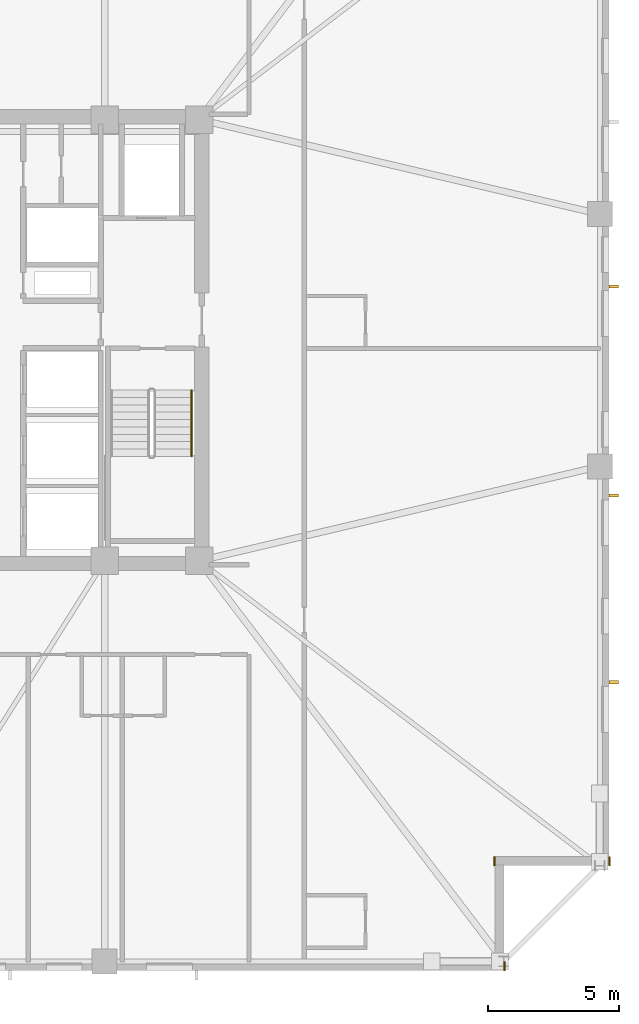
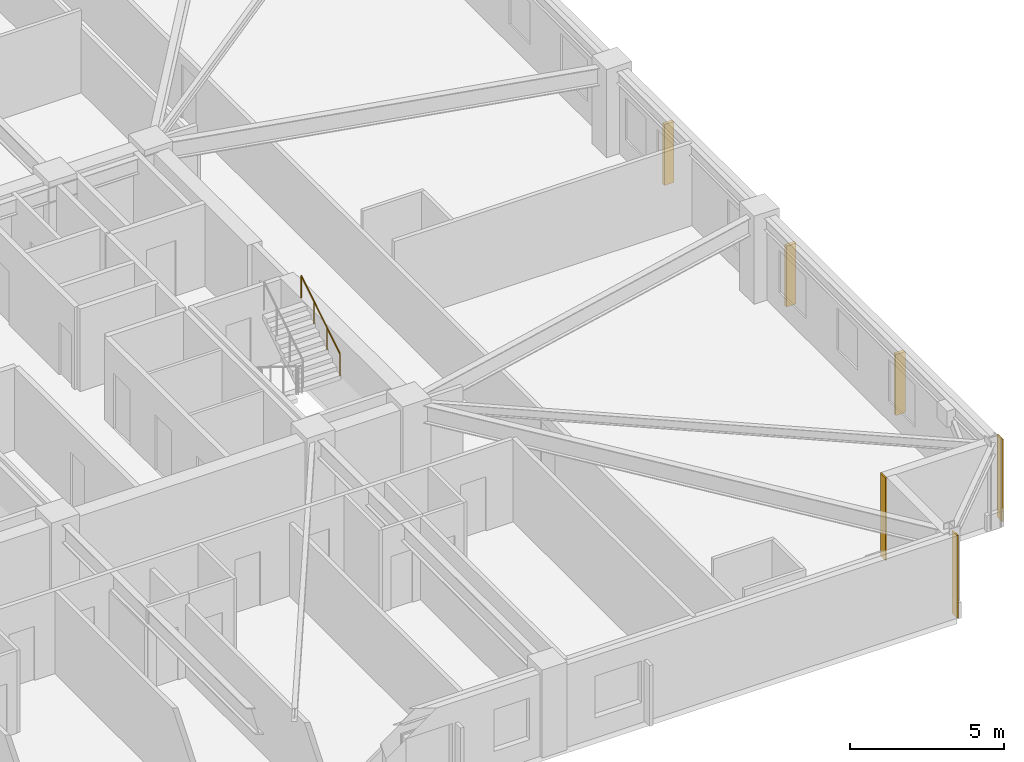
# One storey, part 9 of 11: 3 coverings, 3 shading devices, 1 railing.
"""IFC4 building model written with IfcOpenShell, lengths in metres."""

import ifcopenshell
import ifcopenshell.guid

model = None  # the IFC model being written
_history = None  # IfcOwnerHistory: only IFC2X3 demands one
_inside = {}  # id of a spatial element -> (the spatial element, [elements in it])
_under = {}  # id of a project, library or spatial element -> (it, [spatial elements below it])
_declared = {}  # id of a project -> (the project, [libraries it declares])
_typed = {}  # id of a type object -> (the type object, [elements of that type])
_made_of = {}  # id of a material, layer set ... -> (it, [elements and type objects made of it])


def new_model(schema):
    """Start an empty IFC model of exactly this schema.

    Asked for "IFC4X3", IfcOpenShell would pick the latest addendum, in which some entities
    have other attributes; the version numbers below select the first issue.
    IFC2X3 requires an IfcOwnerHistory on every rooted entity: one is made here for all.
    """
    global model, _history
    if schema == "IFC4X3":
        model = ifcopenshell.file(schema_version=(4, 3, 0, 0))
    else:
        model = ifcopenshell.file(schema=schema)
    _inside.clear()
    _under.clear()
    _declared.clear()
    _typed.clear()
    _made_of.clear()
    _history = None
    if model.schema == "IFC2X3":
        org = make("IfcOrganization", Name="unknown")
        user = make(
            "IfcPersonAndOrganization",
            ThePerson=make("IfcPerson", FamilyName="unknown"),
            TheOrganization=org,
        )
        app = make(
            "IfcApplication",
            ApplicationDeveloper=org,
            Version="unknown",
            ApplicationFullName="unknown",
            ApplicationIdentifier="unknown",
        )
        _history = make(
            "IfcOwnerHistory",
            OwningUser=user,
            OwningApplication=app,
            ChangeAction="ADDED",
            CreationDate=0,
        )
    return model


def make(cls, **values):
    """One entity of the class cls with the attributes given. An attribute that is None is left unset."""
    return model.create_entity(
        cls, **{name: value for name, value in values.items() if value is not None}
    )


def rooted(cls, **values):
    """An entity with a GlobalId (a new one), such as an element, a storey or a relation."""
    return make(cls, GlobalId=ifcopenshell.guid.new(), OwnerHistory=_history, **values)


def si_unit(unit_type, name, prefix=None):
    """IfcSIUnit, for example si_unit("LENGTHUNIT", "METRE", prefix="MILLI")."""
    return make("IfcSIUnit", UnitType=unit_type, Prefix=prefix, Name=name)


def assignment(units):
    """IfcUnitAssignment: the units of a project."""
    return None if units is None else make("IfcUnitAssignment", Units=units)


def point(xyz):
    """IfcCartesianPoint."""
    return None if xyz is None else make("IfcCartesianPoint", Coordinates=xyz)


def direction(xyz):
    """IfcDirection."""
    return None if xyz is None else make("IfcDirection", DirectionRatios=xyz)


def frame(location, z_axis=None, x_axis=None):
    """IfcAxis2Placement3D, a coordinate frame: its origin and axes. An axis left out is left unset."""
    return make(
        "IfcAxis2Placement3D",
        Location=point(location),
        Axis=direction(z_axis),
        RefDirection=direction(x_axis),
    )


def frame_2d(location, x_axis=None):
    """IfcAxis2Placement2D, a coordinate frame in the plane: its origin and x axis."""
    return make(
        "IfcAxis2Placement2D", Location=point(location), RefDirection=direction(x_axis)
    )


def origin():
    """The frame at (0, 0, 0) with its axes left unset."""
    return frame((0.0, 0.0, 0.0))


def origin_2d():
    """The frame at (0, 0) in the plane with its x axis left unset."""
    return frame_2d((0.0, 0.0))


def place(relative_to, where):
    """IfcLocalPlacement: puts the frame where relative to a parent placement (None: the world)."""
    return make(
        "IfcLocalPlacement", PlacementRelTo=relative_to, RelativePlacement=where
    )


def context(
    kind, dimensions, precision=None, world=None, true_north=None, identifier=None
):
    """IfcGeometricRepresentationContext, for example the 3D "Model" context."""
    return make(
        "IfcGeometricRepresentationContext",
        ContextIdentifier=identifier,
        ContextType=kind,
        CoordinateSpaceDimension=dimensions,
        Precision=precision,
        WorldCoordinateSystem=world,
        TrueNorth=true_north,
    )


def subcontext(parent, identifier, kind, view, scale=None):
    """IfcGeometricRepresentationSubContext, for example "Body" below "Model"."""
    return make(
        "IfcGeometricRepresentationSubContext",
        ContextIdentifier=identifier,
        ContextType=kind,
        ParentContext=parent,
        TargetScale=scale,
        TargetView=view,
    )


def project(units=None, contexts=None):
    """IfcProject with its units and contexts."""
    return rooted(
        "IfcProject",
        Name="project",
        RepresentationContexts=contexts,
        UnitsInContext=assignment(units),
    )


def spatial(cls, under=None, at=None, **own):
    """A site, building, storey or space (cls), placed at a placement, below another one or the project."""
    s = rooted(cls, ObjectPlacement=at, **own)
    if under is not None:
        _under.setdefault(under.id(), (under, []))[1].append(s)
    return s


def profile(cls, at=None, kind="AREA", **sizes):
    """A parametric profile (cls). Its sizes go by their IFC names, for example OverallWidth=200.0."""
    return make(cls, ProfileType=kind, Position=at, **sizes)


def rectangle(**sizes):
    """IfcRectangleProfileDef."""
    return profile("IfcRectangleProfileDef", **sizes)


def circle(**sizes):
    """IfcCircleProfileDef."""
    return profile("IfcCircleProfileDef", **sizes)


def extrude(swept, where, along, depth):
    """IfcExtrudedAreaSolid: the profile swept, set in the frame where, extruded along a direction by depth."""
    return make(
        "IfcExtrudedAreaSolid",
        SweptArea=swept,
        Position=where,
        ExtrudedDirection=direction(along),
        Depth=depth,
    )


def shape(context_of_items, identifier, shape_type, items):
    """IfcShapeRepresentation: the items that make up one representation, for example the "Body"."""
    return make(
        "IfcShapeRepresentation",
        ContextOfItems=context_of_items,
        RepresentationIdentifier=identifier,
        RepresentationType=shape_type,
        Items=items,
    )


def material(Name=None, Category=None):
    """IfcMaterial."""
    return make("IfcMaterial", Name=Name, Category=Category)


def layer(
    of_material, thickness, ventilated=None, Name=None, Category=None, Priority=None
):
    """IfcMaterialLayer: one layer of a wall or slab, of a material (None: an air gap)."""
    return make(
        "IfcMaterialLayer",
        Material=of_material,
        LayerThickness=thickness,
        IsVentilated=ventilated,
        Name=Name,
        Category=Category,
        Priority=Priority,
    )


def layer_set(layers, Name=None):
    """IfcMaterialLayerSet."""
    return make("IfcMaterialLayerSet", MaterialLayers=layers, LayerSetName=Name)


def made_of(thing, what):
    """Note that an element or type object is made of a material, layer set ...; save() writes the relation."""
    if what is not None:
        _made_of.setdefault(what.id(), (what, []))[1].append(thing)
    return thing


def type_object(cls, material=None, **own):
    """A type object (cls), such as IfcWallType, which elements share."""
    return made_of(rooted(cls, **own), material)


def element(
    cls,
    number,
    at=None,
    inside=None,
    cuts=None,
    type_object=None,
    material=None,
    context=None,
    identifier="Body",
    shape_type=None,
    held_by="IfcProductDefinitionShape",
    body=None,
    shapes=None,
    **own,
):
    """One element of the class cls, such as IfcWall. Its Tag is "e" and its number.

    at: its placement. inside: the storey or other place that contains it. cuts: it is an
    opening in that element (IfcRelVoidsElement). A single representation is given by context,
    identifier, shape_type and body (its items); several are given by shapes. held_by: the class
    of the entity that holds the representations. save() writes the other relations.
    """
    e = rooted(cls, Tag="e%d" % number, ObjectPlacement=at, **own)
    if body is not None:
        shapes = [shape(context, identifier, shape_type, body)]
    if shapes is not None:
        e.Representation = make(held_by, Representations=shapes)
    if inside is not None:
        _inside.setdefault(inside.id(), (inside, []))[1].append(e)
    if cuts is not None:
        rooted(
            "IfcRelVoidsElement", RelatingBuildingElement=cuts, RelatedOpeningElement=e
        )
    if type_object is not None:
        _typed.setdefault(type_object.id(), (type_object, []))[1].append(e)
    return made_of(e, material)


def aggregate(whole, parts):
    """IfcRelAggregates: a whole, such as a stair, and the parts it consists of."""
    return rooted("IfcRelAggregates", RelatingObject=whole, RelatedObjects=parts)


def save(model, path):
    """Write the relations noted so far, then the file.

    IfcRelAggregates (storeys below a building ...), IfcRelContainedInSpatialStructure (elements
    in a storey), IfcRelDefinesByType, IfcRelAssociatesMaterial and IfcRelDeclares: one each for
    every whole, place, type object, material and project.
    """
    for whole, parts in _under.values():
        aggregate(whole, parts)
    for where, things in _inside.values():
        rooted(
            "IfcRelContainedInSpatialStructure",
            RelatedElements=things,
            RelatingStructure=where,
        )
    for kind, things in _typed.values():
        rooted("IfcRelDefinesByType", RelatedObjects=things, RelatingType=kind)
    for what, things in _made_of.values():
        rooted("IfcRelAssociatesMaterial", RelatedObjects=things, RelatingMaterial=what)
    for by, libraries in _declared.values():
        rooted("IfcRelDeclares", RelatingContext=by, RelatedDefinitions=libraries)
    model.write(path)


model = new_model("IFC4")

# Units and contexts
model_context = context("Model", 3, precision=1e-05, world=origin(), true_north=direction((0.0, 1.0)))
body_context = subcontext(model_context, "Body", "Model", "MODEL_VIEW")
ifc_project = project(units=[si_unit("LENGTHUNIT", "METRE"), si_unit("AREAUNIT", "SQUARE_METRE"), si_unit("VOLUMEUNIT", "CUBIC_METRE"), si_unit("PLANEANGLEUNIT", "RADIAN"), si_unit("MASSUNIT", "GRAM", prefix="KILO")], contexts=[model_context])

# Site, building, storey
site_placement = place(None, origin())
site = spatial("IfcSite", under=ifc_project, at=site_placement, CompositionType="ELEMENT")
building_placement = place(site_placement, origin())
building = spatial("IfcBuilding", under=site, at=building_placement, Name="Cairnveth Concourse Tower", CompositionType="ELEMENT")
storey_placement = place(building_placement, frame((0.0, 0.0, 116.5)))
storey = spatial("IfcBuildingStorey", under=building, at=storey_placement, Name="L31", CompositionType="ELEMENT", Elevation=116.5)

# Coverings
ifc_material_1 = material(Name="Dressed Melbourne Bluestone Cladding", Category="masonry")
ifc_layer = layer(ifc_material_1, 0.050048828125)
ifc_layer_set = layer_set([ifc_layer], Name="Dressed Melbourne Bluestone Cladding")
covering_type = type_object("IfcCoveringType", Name="DRESSED BLUESTONE PLINTH CLADDING 50", PredefinedType="CLADDING", material=ifc_layer_set)
for number, where, z_axis, x_axis, name in (
    (1, (76.02001953125, 19.340087890625, 0.0), (0.0, 0.0, 1.0), (0.0, -1.0, 0.0), "Melbourne Bluestone Corner Quoin L31-442"),
    (2, (71.639892578125, 19.340087890625, 0.0), (0.0, 0.0, 1.0), (0.0, -1.0, 0.0), "Melbourne Bluestone Corner Quoin L31-443"),
    (3, (72.02001953125, 15.340087890625, 0.0), (0.0, 0.0, 1.0), (0.0, -1.0, 0.0), "Melbourne Bluestone Corner Quoin L31-444"),
):
    element("IfcCovering", number, at=place(storey_placement, frame(where, z_axis=z_axis, x_axis=x_axis)), inside=storey, type_object=covering_type, Name=name, PredefinedType="CLADDING", context=body_context, shape_type="SweptSolid", body=[
        extrude(rectangle(XDim=0.340087890625, YDim=0.050048828125, at=frame_2d((0.169921875, 0.0))), origin(), (0.0, 0.0, 1.0), 3.280029296875),
    ])

# Shading devices
ifc_material_2 = material(Name="Architectural Bronze Anodised Aluminium 6063-T6", Category="aluminium")
shading_device_type = type_object("IfcShadingDeviceType", Name="GOTHIC BRONZE VERTICAL LANCET FIN", PredefinedType="USERDEFINED", material=ifc_material_2)
for number, where, z_axis, x_axis, name in (
    (4, (76.175048828125, 41.0439453125, 0.030029296875), (0.0, 0.0, 1.0), (0.0, 1.0, 0.0), "Gothic Bronze Vertical Fin L31-6-5"),
    (5, (76.175048828125, 33.0869140625, 0.030029296875), (0.0, 0.0, 1.0), (0.0, 1.0, 0.0), "Gothic Bronze Vertical Fin L31-6-7"),
    (6, (76.175048828125, 25.979736328125, 0.030029296875), (0.0, 0.0, 1.0), (0.0, 1.0, 0.0), "Gothic Bronze Vertical Fin L31-6-9"),
):
    element("IfcShadingDevice", number, at=place(storey_placement, frame(where, z_axis=z_axis, x_axis=x_axis)), inside=storey, type_object=shading_device_type, Name=name, ObjectType="VERTICAL FIN", PredefinedType="USERDEFINED", context=body_context, shape_type="SweptSolid", body=[
        extrude(rectangle(XDim=0.1201171875, YDim=0.360107421875, at=origin_2d()), origin(), (0.0, 0.0, 1.0), 2.419921875),
    ])

# Railing
ifc_material_3 = material(Name="Steel Grade 350", Category="steel")
railing_type = type_object("IfcRailingType", Name="STAIR WALL HANDRAIL 900", PredefinedType="HANDRAIL", material=ifc_material_3)
railing_placement = place(storey_placement, frame((60.110107421875, 34.580078125, 1.925048828125)))
element("IfcRailing", 7, at=railing_placement, inside=storey, type_object=railing_type, Name="L31 ST-2 stair handrail 2", PredefinedType="HANDRAIL", context=body_context, shape_type="SweptSolid", body=[
    extrude(circle(Radius=0.02392578125, at=origin_2d()), frame((0.0, 0.0, 0.8759765625), z_axis=(0.0, 0.848007534815, 0.529984170421), x_axis=(-1.0, 0.0, 0.0)), (0.0, 0.0, 1.0), 2.9716796875),
    extrude(circle(Radius=0.02099609375, at=origin_2d()), origin(), (0.0, 0.0, 1.0), 0.851806640625),
    extrude(circle(Radius=0.02099609375, at=origin_2d()), frame((0.0, 0.840087890625, 0.52490234375)), (0.0, 0.0, 1.0), 0.851806640625),
    extrude(circle(Radius=0.02099609375, at=origin_2d()), frame((0.0, 1.679931640625, 1.050048828125)), (0.0, 0.0, 1.0), 0.851806640625),
    extrude(circle(Radius=0.02099609375, at=origin_2d()), frame((0.0, 2.52001953125, 1.574951171875)), (0.0, 0.0, 1.0), 0.851806640625),
])

save(model, "model.ifc")
